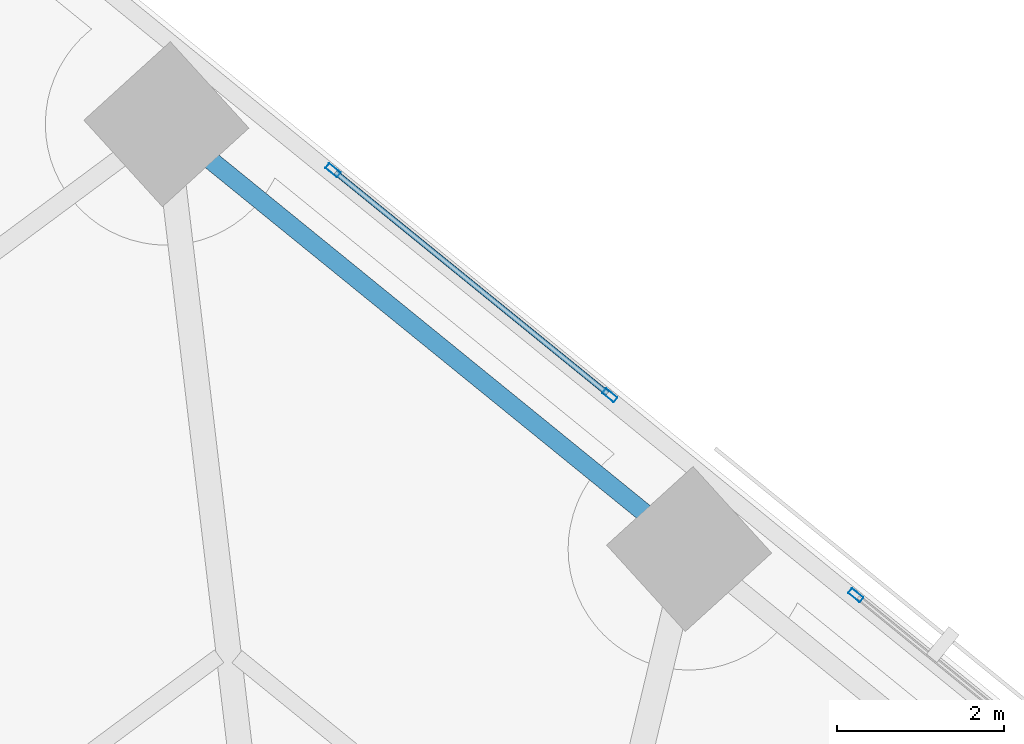
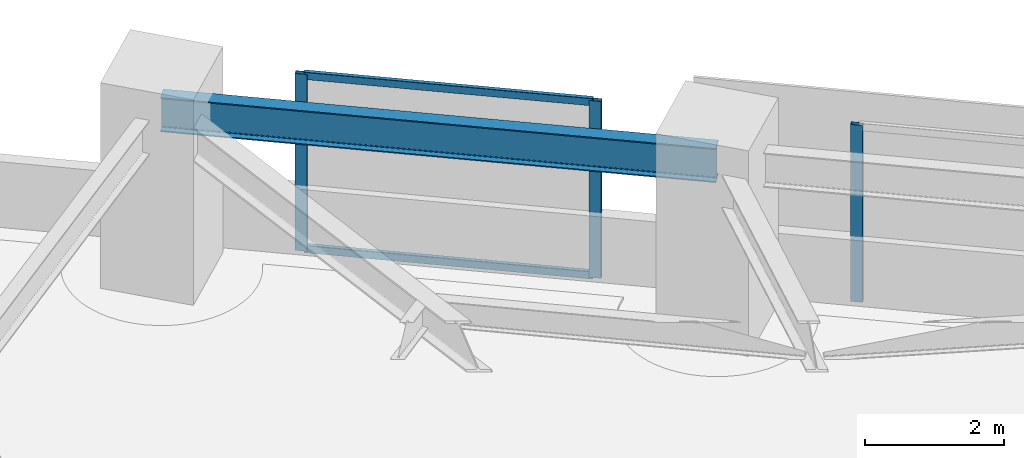
# One storey, part 9 of 17: 5 members, 1 beam, 2 elements without a shape of their own.
"""IFC4 building model written with IfcOpenShell, lengths in metres."""

from ifc_helpers import new_model, si_unit, direction, frame, origin, origin_2d, place, context, subcontext, project, spatial, hollow_rectangle, i_section, extrude, material, material_profile, profile_set, type_object, element, aggregate, save


model = new_model("IFC4")

# Units and contexts
model_context = context("Model", 3, precision=1e-05, world=origin(), true_north=direction((0.0, 1.0)))
body_context = subcontext(model_context, "Body", "Model", "MODEL_VIEW")
ifc_project = project(units=[si_unit("LENGTHUNIT", "METRE"), si_unit("AREAUNIT", "SQUARE_METRE"), si_unit("VOLUMEUNIT", "CUBIC_METRE"), si_unit("PLANEANGLEUNIT", "RADIAN"), si_unit("MASSUNIT", "GRAM", prefix="KILO")], contexts=[model_context])

# Site, building, storey
site_placement = place(None, origin())
site = spatial("IfcSite", under=ifc_project, at=site_placement, CompositionType="ELEMENT")
building_placement = place(site_placement, origin())
building = spatial("IfcBuilding", under=site, at=building_placement, Name="Narakoshi Arena Tower", CompositionType="ELEMENT")
storey_placement = place(building_placement, frame((0.0, 0.0, 55.5)))
storey = spatial("IfcBuildingStorey", under=building, at=storey_placement, Name="L14", CompositionType="ELEMENT", Elevation=55.5)

# Beam
ifc_material_1 = material(Name="Structural steel S355J2", Category="steel")
ifc_material_profile_1 = material_profile(ifc_material_1, i_section(OverallWidth=0.219970703125, OverallDepth=0.60009765625, WebThickness=0.011962890625, FlangeThickness=0.01904296875, FilletRadius=0.02392578125, at=origin_2d()), Name="IPE600")
ifc_profile_set_1 = profile_set([ifc_material_profile_1], Name="Structural steel S355J2")
beam_type = type_object("IfcBeamType", Name="BM-EDGE-600", PredefinedType="BEAM", material=ifc_profile_set_1)
beam_placement = place(storey_placement, frame((75.794189453125, 72.392333984375, 2.800048828125), z_axis=(-0.775993703931, 0.63074065309, 0.0), x_axis=(-0.63074065309, -0.775993703931, 0.0)))
element("IfcBeam", 1, at=beam_placement, inside=storey, type_object=beam_type, Name="L14 Perimeter Edge Girder 11", PredefinedType="BEAM", context=body_context, shape_type="SweptSolid", body=[
    extrude(i_section(OverallWidth=0.219970703125, OverallDepth=0.60009765625, WebThickness=0.011962890625, FlangeThickness=0.01904296875, FilletRadius=0.02392578125, at=origin_2d()), origin(), (0.0, 0.0, 1.0), 8.0712890625),
])

# Curtain wall, member
ifc_material_2 = material(Name="Anodised bronze aluminium 6063-T6", Category="aluminium")
curtain_wall_type = type_object("IfcCurtainWallType", Name="CW-HYP-LOW", PredefinedType="NOTDEFINED", material=ifc_material_2)
curtain_wall_1_placement = place(storey_placement, origin())
curtain_wall_1 = element("IfcCurtainWall", 2, at=curtain_wall_1_placement, inside=storey, type_object=curtain_wall_type, Name="L14 Folded Hypotenuse Curtain Wall 2-3", PredefinedType="NOTDEFINED")
ifc_material_profile_2 = material_profile(ifc_material_2, hollow_rectangle(XDim=0.074951171875, YDim=0.179931640625, WallThickness=0.00390625, OuterFilletRadius=0.0048828125, at=origin_2d()), Name="MUL180x75x4")
ifc_profile_set_2 = profile_set([ifc_material_profile_2], Name="Anodised bronze aluminium 6063-T6")
member_type_1 = type_object("IfcMemberType", Name="MEM-MUL-180", PredefinedType="MULLION", material=ifc_profile_set_2)
member_1_placement = place(storey_placement, frame((77.791015625, 71.8388671875, 0.0), z_axis=(0.0, 0.0, 1.0), x_axis=(-0.630722984816, -0.776008064665, 0.0)))
member_1 = element("IfcMember", 3, at=member_1_placement, type_object=member_type_1, Name="CW-01 mullion 2", PredefinedType="MULLION", context=body_context, shape_type="SweptSolid", body=[
    extrude(hollow_rectangle(XDim=0.074951171875, YDim=0.179931640625, WallThickness=0.00390625, OuterFilletRadius=0.0048828125, at=origin_2d()), origin(), (0.0, 0.0, 1.0), 3.10009765625),
])
aggregate(curtain_wall_1, [member_1])

# Curtain wall, members
curtain_wall_2_placement = place(storey_placement, origin())
curtain_wall_2 = element("IfcCurtainWall", 4, at=curtain_wall_2_placement, inside=storey, type_object=curtain_wall_type, Name="L14 Folded Hypotenuse Curtain Wall 2-4", PredefinedType="NOTDEFINED")
member_2_placement = place(storey_placement, frame((74.843994140625, 74.234130859375, 0.0), z_axis=(0.0, 0.0, 1.0), x_axis=(-0.630733728817, -0.775999332044, 0.0)))
member_2 = element("IfcMember", 5, at=member_2_placement, type_object=member_type_1, Name="CW-01 mullion 1", PredefinedType="MULLION", context=body_context, shape_type="SweptSolid", body=[
    extrude(hollow_rectangle(XDim=0.074951171875, YDim=0.179931640625, WallThickness=0.00390625, OuterFilletRadius=0.0048828125, at=origin_2d()), origin(), (0.0, 0.0, 1.0), 3.10009765625),
])
member_3_placement = place(storey_placement, frame((71.52783203125, 76.9296875, 0.0), z_axis=(0.0, 0.0, 1.0), x_axis=(-0.630733728817, -0.775999332044, 0.0)))
member_3 = element("IfcMember", 6, at=member_3_placement, type_object=member_type_1, Name="CW-01 mullion 2", PredefinedType="MULLION", context=body_context, shape_type="SweptSolid", body=[
    extrude(hollow_rectangle(XDim=0.074951171875, YDim=0.179931640625, WallThickness=0.00390625, OuterFilletRadius=0.0048828125, at=origin_2d()), origin(), (0.0, 0.0, 1.0), 3.10009765625),
])
ifc_material_profile_3 = material_profile(ifc_material_2, hollow_rectangle(XDim=0.06494140625, YDim=0.1298828125, WallThickness=0.00390625, OuterFilletRadius=0.0048828125, at=origin_2d()), Name="TRN130x65x4")
ifc_profile_set_3 = profile_set([ifc_material_profile_3], Name="Anodised bronze aluminium 6063-T6")
member_type_2 = type_object("IfcMemberType", Name="MEM-TRN-130", PredefinedType="USERDEFINED", material=ifc_profile_set_3)
member_4_placement = place(storey_placement, frame((74.81494140625, 74.2578125, 0.032470703125), z_axis=(-0.775994815564, 0.630739285457, 0.0), x_axis=(-0.630739285457, -0.775994815564, 0.0)))
member_4 = element("IfcMember", 7, at=member_4_placement, type_object=member_type_2, Name="CW-01 transom 1.1", ObjectType="TRANSOM", PredefinedType="USERDEFINED", context=body_context, shape_type="SweptSolid", body=[
    extrude(hollow_rectangle(XDim=0.06494140625, YDim=0.1298828125, WallThickness=0.00390625, OuterFilletRadius=0.0048828125, at=origin_2d()), origin(), (0.0, 0.0, 1.0), 4.198486328125),
])
member_5_placement = place(storey_placement, frame((74.81494140625, 74.2578125, 3.0673828125), z_axis=(-0.775994815564, 0.630739285457, 0.0), x_axis=(-0.630739285457, -0.775994815564, 0.0)))
member_5 = element("IfcMember", 8, at=member_5_placement, type_object=member_type_2, Name="CW-01 transom 1.2", ObjectType="TRANSOM", PredefinedType="USERDEFINED", context=body_context, shape_type="SweptSolid", body=[
    extrude(hollow_rectangle(XDim=0.06494140625, YDim=0.1298828125, WallThickness=0.00390625, OuterFilletRadius=0.0048828125, at=origin_2d()), origin(), (0.0, 0.0, 1.0), 4.198486328125),
])
aggregate(curtain_wall_2, [member_2, member_3, member_4, member_5])

save(model, "model.ifc")
